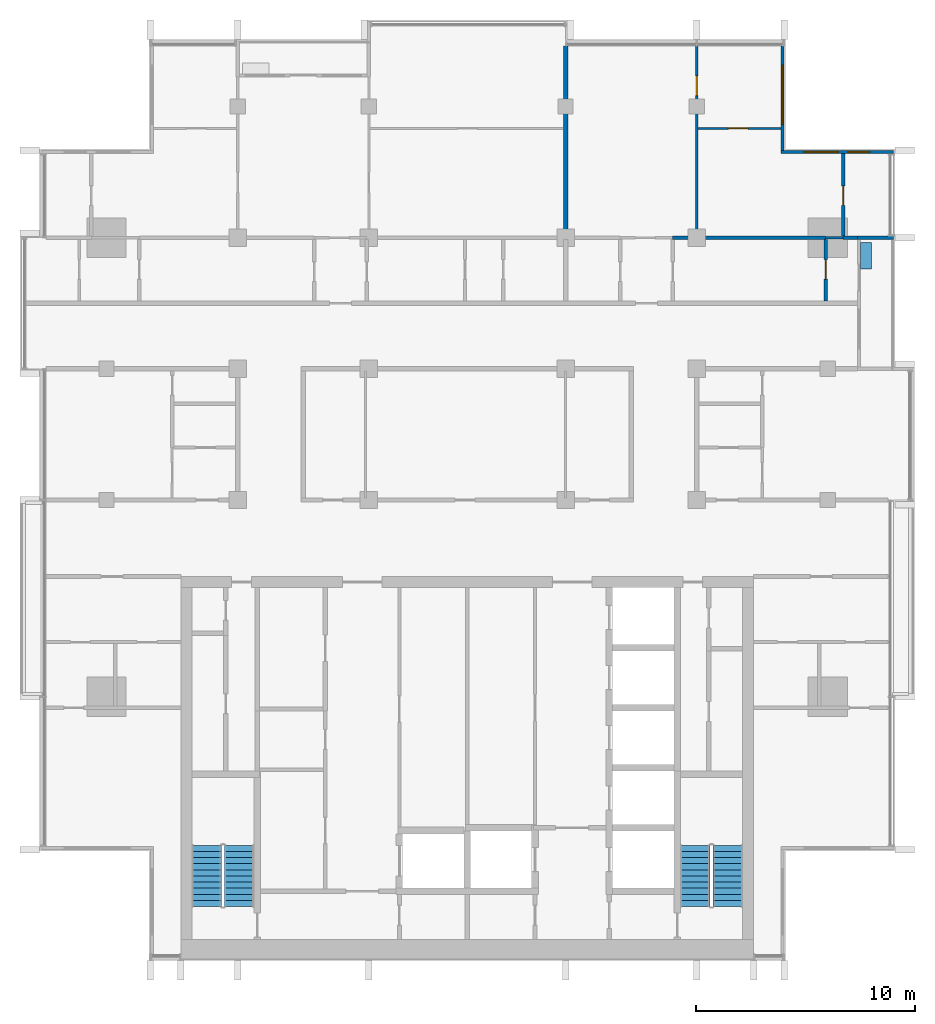
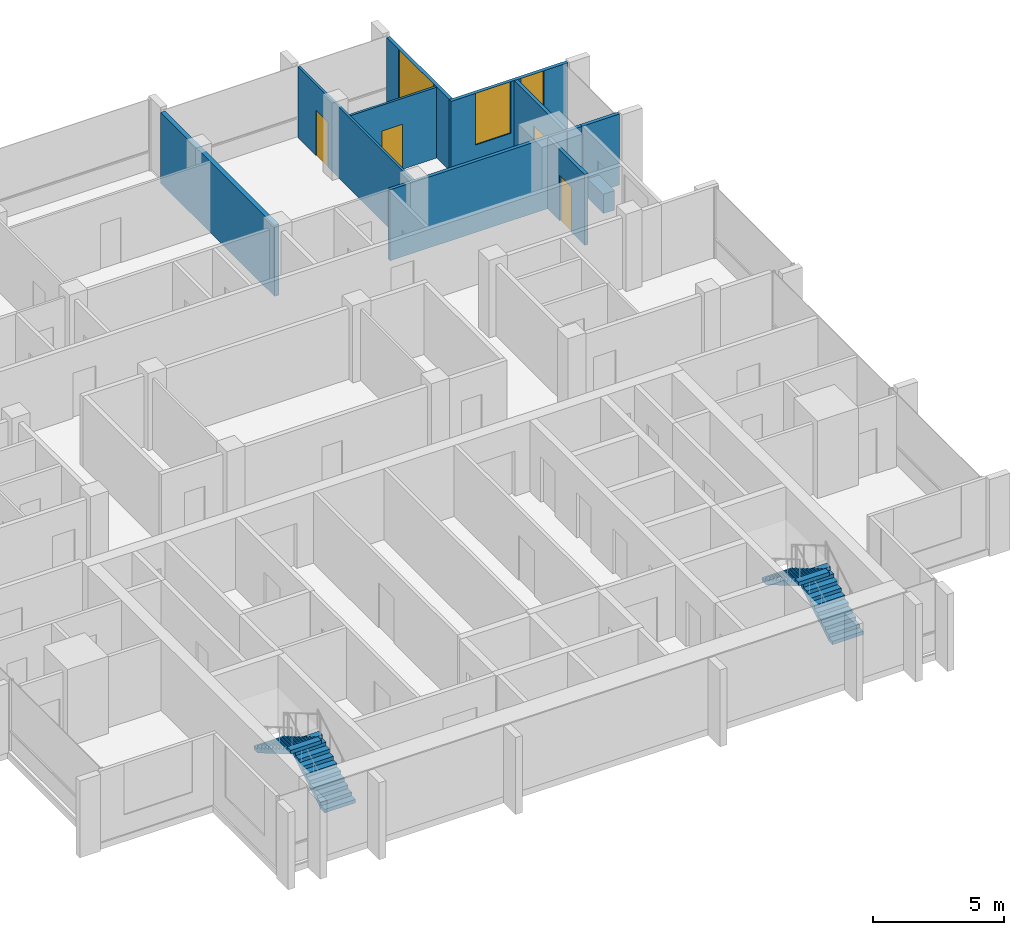
# One storey, part 11 of 16: 12 walls, 4 doors, 4 stair flights, 3 windows, 7 openings, 2 elements without a shape of their own.
"""IFC4 building model written with IfcOpenShell, lengths in metres."""

from ifc_helpers import new_model, si_unit, direction, frame, frame_2d, origin, place, context, subcontext, project, spatial, polyline, rectangle, outline, extrude, material, layer, layer_set, type_object, element, fill, aggregate, save


model = new_model("IFC4")

# Units and contexts
model_context = context("Model", 3, precision=1e-05, world=origin(), true_north=direction((0.0, 1.0)))
body_context = subcontext(model_context, "Body", "Model", "MODEL_VIEW")
ifc_project = project(units=[si_unit("LENGTHUNIT", "METRE"), si_unit("AREAUNIT", "SQUARE_METRE"), si_unit("VOLUMEUNIT", "CUBIC_METRE"), si_unit("PLANEANGLEUNIT", "RADIAN"), si_unit("MASSUNIT", "GRAM", prefix="KILO")], contexts=[model_context])

# Site, building, storey
site_placement = place(None, origin())
site = spatial("IfcSite", under=ifc_project, at=site_placement, CompositionType="ELEMENT")
building_placement = place(site_placement, origin())
building = spatial("IfcBuilding", under=site, at=building_placement, Name="Finial Court Residences", CompositionType="ELEMENT")
storey_placement = place(building_placement, frame((0.0, 0.0, 280.699951171875)))
storey = spatial("IfcBuildingStorey", under=building, at=storey_placement, Name="L71", CompositionType="ELEMENT", Elevation=280.699951171875)

# Walls
ifc_material_1 = material(Name="Gypsum board")
ifc_layer_1 = layer(ifc_material_1, 0.02490234375)
ifc_material_2 = material(Name="Acoustic mineral wool in double frame")
ifc_layer_2 = layer(ifc_material_2, 0.14990234375)
ifc_layer_3 = layer(ifc_material_1, 0.02490234375)
ifc_layer_set_1 = layer_set([ifc_layer_1, ifc_layer_2, ifc_layer_3], Name="Acoustic party wall 200, 1 hour")
wall_type_1 = type_object("IfcWallType", Name="Acoustic party wall 200, 1 hour", PredefinedType="PARTITIONING", material=ifc_layer_set_1)
wall_1_placement = place(storey_placement, frame((4.5, 7.574951171875, 0.0), z_axis=(0.0, 0.0, 1.0), x_axis=(0.0, 1.0, 0.0)))
element("IfcWall", 1, at=wall_1_placement, inside=storey, type_object=wall_type_1, Name="Partition L71-046", PredefinedType="PARTITIONING", context=body_context, shape_type="SweptSolid", body=[
    extrude(rectangle(XDim=8.6875, YDim=0.199951171875, at=frame_2d((4.34375, 0.0))), origin(), (0.0, 0.0, 1.0), 3.300048828125),
])
ifc_layer_4 = layer(ifc_material_1, 0.012451171875)
ifc_material_3 = material(Name="Mineral wool in light-gauge frame")
ifc_layer_5 = layer(ifc_material_3, 0.074951171875)
ifc_layer_6 = layer(ifc_material_1, 0.012451171875)
ifc_layer_set_2 = layer_set([ifc_layer_4, ifc_layer_5, ifc_layer_6], Name="Gypsum board partition 100")
wall_type_2 = type_object("IfcWallType", Name="Gypsum board partition 100", PredefinedType="PARTITIONING", material=ifc_layer_set_2)
wall_2_placement = place(storey_placement, frame((16.39990234375, 7.5, 0.0), z_axis=(0.0, 0.0, 1.0), x_axis=(1.0, 0.0, 0.0)))
element("IfcWall", 2, at=wall_2_placement, inside=storey, type_object=wall_type_2, Name="Partition L71-020", PredefinedType="PARTITIONING", context=body_context, shape_type="SweptSolid", body=[
    extrude(rectangle(XDim=0.800048828125, YDim=0.10009765625, at=frame_2d((0.39990234375, 0.0))), origin(), (0.0, 0.0, 1.0), 3.300048828125),
])

# Wall, opening, door
wall_3_placement = place(storey_placement, frame((10.550048828125, 12.5, 0.0), z_axis=(0.0, 0.0, 1.0), x_axis=(1.0, 0.0, 0.0)))
wall_3 = element("IfcWall", 3, at=wall_3_placement, inside=storey, type_object=wall_type_2, Name="Partition L71-028", PredefinedType="PARTITIONING", context=body_context, shape_type="SweptSolid", body=[
    extrude(rectangle(XDim=3.800048828125, YDim=0.10009765625, at=frame_2d((1.89990234375, 0.0))), origin(), (0.0, 0.0, 1.0), 3.300048828125),
])
opening_1_placement = place(wall_3_placement, frame((1.39990234375, 0.0, 0.0)))
opening_1 = element("IfcOpeningElement", 4, at=opening_1_placement, cuts=wall_3, Name="Opening L71-D022", PredefinedType="OPENING", context=body_context, shape_type="SweptSolid", body=[
    extrude(rectangle(XDim=0.89990234375, YDim=2.10009765625, at=frame_2d((0.449951171875, 1.050048828125))), frame((0.0, 0.06005859375, 0.0), z_axis=(0.0, -1.0, 0.0), x_axis=(1.0, 0.0, 0.0)), (0.0, 0.0, 1.0), 0.1201171875),
])
ifc_material_4 = material(Name="Timber door leaf in timber frame", Category="wood")
door_type = type_object("IfcDoorType", Name="Door set 900 x 2100", OperationType="SINGLE_SWING_LEFT", PredefinedType="DOOR", material=ifc_material_4)
door_1_placement = place(opening_1_placement, origin())
door_1 = element("IfcDoor", 5, at=door_1_placement, inside=storey, type_object=door_type, Name="Door L71-D022", OperationType="SINGLE_SWING_LEFT", OverallHeight=2.10009765625, OverallWidth=0.89990234375, PredefinedType="DOOR", context=body_context, shape_type="SweptSolid", body=[
    extrude(rectangle(XDim=0.89990234375, YDim=2.10009765625, at=frame_2d((0.449951171875, 1.050048828125))), frame((0.0, 0.02490234375, 0.0), z_axis=(0.0, -1.0, 0.0), x_axis=(1.0, 0.0, 0.0)), (0.0, 0.0, 1.0), 0.050048828125),
])
fill(opening_1, door_1)

wall_4_placement = place(storey_placement, frame((10.5, 7.574951171875, 0.0), z_axis=(0.0, 0.0, 1.0), x_axis=(0.0, 1.0, 0.0)))
wall_4 = element("IfcWall", 6, at=wall_4_placement, inside=storey, type_object=wall_type_2, Name="Partition L71-051", PredefinedType="PARTITIONING", context=body_context, shape_type="SweptSolid", body=[
    extrude(rectangle(XDim=8.6875, YDim=0.10009765625, at=frame_2d((4.34375, 0.0))), origin(), (0.0, 0.0, 1.0), 3.300048828125),
])
opening_2_placement = place(wall_4_placement, frame((6.425048828125, 0.0, 0.0)))
opening_2 = element("IfcOpeningElement", 7, at=opening_2_placement, cuts=wall_4, Name="Opening L71-D036", PredefinedType="OPENING", context=body_context, shape_type="SweptSolid", body=[
    extrude(rectangle(XDim=0.89990234375, YDim=2.10009765625, at=frame_2d((0.449951171875, 1.050048828125))), frame((0.0, 0.06005859375, 0.0), z_axis=(0.0, -1.0, 0.0), x_axis=(1.0, 0.0, 0.0)), (0.0, 0.0, 1.0), 0.1201171875),
])
door_2_placement = place(opening_2_placement, origin())
door_2 = element("IfcDoor", 8, at=door_2_placement, inside=storey, type_object=door_type, Name="Door L71-D036", OperationType="SINGLE_SWING_RIGHT", OverallHeight=2.10009765625, OverallWidth=0.89990234375, PredefinedType="DOOR", context=body_context, shape_type="SweptSolid", body=[
    extrude(rectangle(XDim=0.89990234375, YDim=2.10009765625, at=frame_2d((0.449951171875, 1.050048828125))), frame((0.0, 0.02490234375, 0.0), z_axis=(0.0, -1.0, 0.0), x_axis=(1.0, 0.0, 0.0)), (0.0, 0.0, 1.0), 0.050048828125),
])
fill(opening_2, door_2)

# Walls
ifc_material_5 = material(Name="Moisture-resistant gypsum board")
ifc_layer_7 = layer(ifc_material_5, 0.012451171875)
ifc_layer_8 = layer(ifc_material_3, 0.125)
ifc_layer_9 = layer(ifc_material_5, 0.012451171875)
ifc_layer_set_3 = layer_set([ifc_layer_7, ifc_layer_8, ifc_layer_9], Name="Gypsum board wet-area partition 150")
wall_type_3 = type_object("IfcWallType", Name="Gypsum board wet-area partition 150", PredefinedType="PARTITIONING", material=ifc_layer_set_3)
wall_5_placement = place(storey_placement, frame((9.39990234375, 7.5, 0.0), z_axis=(0.0, 0.0, 1.0), x_axis=(1.0, 0.0, 0.0)))
element("IfcWall", 9, at=wall_5_placement, inside=storey, type_object=wall_type_3, Name="Partition L71-024", PredefinedType="PARTITIONING", context=body_context, shape_type="SweptSolid", body=[
    extrude(rectangle(XDim=7.0, YDim=0.14990234375, at=frame_2d((3.5, 0.0))), origin(), (0.0, 0.0, 1.0), 3.300048828125),
])
wall_6_placement = place(storey_placement, frame((17.199951171875, 7.5, 0.0), z_axis=(0.0, 0.0, 1.0), x_axis=(1.0, 0.0, 0.0)))
element("IfcWall", 10, at=wall_6_placement, inside=storey, type_object=wall_type_3, Name="Partition L71-025", PredefinedType="PARTITIONING", context=body_context, shape_type="SweptSolid", body=[
    extrude(rectangle(XDim=0.650146484375, YDim=0.14990234375, at=frame_2d((0.3251953125, 0.0))), origin(), (0.0, 0.0, 1.0), 3.300048828125),
])

# Wall, opening, door
wall_7_placement = place(storey_placement, frame((16.39990234375, 4.60009765625, 0.0), z_axis=(0.0, 0.0, 1.0), x_axis=(0.0, 1.0, 0.0)))
wall_7 = element("IfcWall", 11, at=wall_7_placement, inside=storey, type_object=wall_type_3, Name="Partition L71-055", PredefinedType="PARTITIONING", context=body_context, shape_type="SweptSolid", body=[
    extrude(rectangle(XDim=2.824951171875, YDim=0.14990234375, at=frame_2d((1.41259765625, 0.0))), origin(), (0.0, 0.0, 1.0), 3.300048828125),
])
opening_3_placement = place(wall_7_placement, frame((1.0, 0.0, 0.0)))
opening_3 = element("IfcOpeningElement", 12, at=opening_3_placement, cuts=wall_7, Name="Opening L71-D039", PredefinedType="OPENING", context=body_context, shape_type="SweptSolid", body=[
    extrude(rectangle(XDim=0.89990234375, YDim=2.10009765625, at=frame_2d((0.449951171875, 1.050048828125))), frame((0.0, 0.0849609375, 0.0), z_axis=(0.0, -1.0, 0.0), x_axis=(1.0, 0.0, 0.0)), (0.0, 0.0, 1.0), 0.169921875),
])
door_3_placement = place(opening_3_placement, origin())
door_3 = element("IfcDoor", 13, at=door_3_placement, inside=storey, type_object=door_type, Name="Door L71-D039", OperationType="SINGLE_SWING_RIGHT", OverallHeight=2.10009765625, OverallWidth=0.89990234375, PredefinedType="DOOR", context=body_context, shape_type="SweptSolid", body=[
    extrude(rectangle(XDim=0.89990234375, YDim=2.10009765625, at=frame_2d((0.449951171875, 1.050048828125))), frame((0.0, 0.02490234375, 0.0), z_axis=(0.0, -1.0, 0.0), x_axis=(1.0, 0.0, 0.0)), (0.0, 0.0, 1.0), 0.050048828125),
])
fill(opening_3, door_3)

wall_8_placement = place(storey_placement, frame((17.199951171875, 7.574951171875, 0.0), z_axis=(0.0, 0.0, 1.0), x_axis=(0.0, 1.0, 0.0)))
wall_8 = element("IfcWall", 14, at=wall_8_placement, inside=storey, type_object=wall_type_3, Name="Partition L71-056", PredefinedType="PARTITIONING", context=body_context, shape_type="SweptSolid", body=[
    extrude(rectangle(XDim=3.775146484375, YDim=0.14990234375, at=frame_2d((1.8876953125, 0.0))), origin(), (0.0, 0.0, 1.0), 3.300048828125),
])
opening_4_placement = place(wall_8_placement, frame((1.39990234375, 0.0, 0.0)))
opening_4 = element("IfcOpeningElement", 15, at=opening_4_placement, cuts=wall_8, Name="Opening L71-D040", PredefinedType="OPENING", context=body_context, shape_type="SweptSolid", body=[
    extrude(rectangle(XDim=0.89990234375, YDim=2.10009765625, at=frame_2d((0.449951171875, 1.050048828125))), frame((0.0, 0.0849609375, 0.0), z_axis=(0.0, -1.0, 0.0), x_axis=(1.0, 0.0, 0.0)), (0.0, 0.0, 1.0), 0.169921875),
])
door_4_placement = place(opening_4_placement, origin())
door_4 = element("IfcDoor", 16, at=door_4_placement, inside=storey, type_object=door_type, Name="Door L71-D040", OperationType="SINGLE_SWING_LEFT", OverallHeight=2.10009765625, OverallWidth=0.89990234375, PredefinedType="DOOR", context=body_context, shape_type="SweptSolid", body=[
    extrude(rectangle(XDim=0.89990234375, YDim=2.10009765625, at=frame_2d((0.449951171875, 1.050048828125))), frame((0.0, 0.02490234375, 0.0), z_axis=(0.0, -1.0, 0.0), x_axis=(1.0, 0.0, 0.0)), (0.0, 0.0, 1.0), 0.050048828125),
])
fill(opening_4, door_4)

# Wall, opening, window
ifc_material_6 = material(Name="Natural limestone", Category="masonry")
ifc_layer_10 = layer(ifc_material_6, 0.14990234375)
ifc_layer_set_4 = layer_set([ifc_layer_10], Name="Limestone clad wall 150")
wall_type_4 = type_object("IfcWallType", Name="Limestone clad wall 150", PredefinedType="SOLIDWALL", material=ifc_layer_set_4)
wall_9_placement = place(storey_placement, frame((14.425048828125, 16.262451171875, 0.0), z_axis=(0.0, 0.0, 1.0), x_axis=(0.0, -1.0, 0.0)))
wall_9 = element("IfcWall", 17, at=wall_9_placement, inside=storey, type_object=wall_type_4, Name="E-L71-NWE18", PredefinedType="SOLIDWALL", context=body_context, shape_type="SweptSolid", body=[
    extrude(rectangle(XDim=4.762451171875, YDim=0.14990234375, at=frame_2d((2.38134765625, 0.0))), origin(), (0.0, 0.0, 1.0), 3.300048828125),
])
opening_5_placement = place(wall_9_placement, frame((0.88134765625, 0.0, 0.89990234375)))
opening_5 = element("IfcOpeningElement", 18, at=opening_5_placement, cuts=wall_9, Name="Opening WE71-08", PredefinedType="OPENING", context=body_context, shape_type="SweptSolid", body=[
    extrude(rectangle(XDim=2.680908203125, YDim=2.39990234375, at=frame_2d((1.34033203125, 1.199951171875))), frame((0.0, 0.0849609375, 0.0), z_axis=(0.0, -1.0, 0.0), x_axis=(1.0, 0.0, 0.0)), (0.0, 0.0, 1.0), 0.169921875),
])
ifc_material_7 = material(Name="Clear low-e glass", Category="glass")
window_type_1 = type_object("IfcWindowType", Name="Corner window 2681 x 2400", PartitioningType="SINGLE_PANEL", PredefinedType="WINDOW", material=ifc_material_7)
window_1_placement = place(opening_5_placement, origin())
window_1 = element("IfcWindow", 19, at=window_1_placement, inside=storey, type_object=window_type_1, Name="E-L71-NWE18-W1", OverallHeight=2.39990234375, OverallWidth=2.680908203125, PartitioningType="SINGLE_PANEL", PredefinedType="WINDOW", context=body_context, shape_type="SweptSolid", body=[
    extrude(rectangle(XDim=2.680908203125, YDim=2.39990234375, at=frame_2d((1.34033203125, 1.199951171875))), frame((0.0, 0.030029296875, 0.0), z_axis=(0.0, -1.0, 0.0), x_axis=(1.0, 0.0, 0.0)), (0.0, 0.0, 1.0), 0.06005859375),
])
fill(opening_5, window_1)

# Wall, openings, windows
wall_10_placement = place(storey_placement, frame((14.35009765625, 11.425048828125, 0.0), z_axis=(0.0, 0.0, 1.0), x_axis=(1.0, 0.0, 0.0)))
wall_10 = element("IfcWall", 20, at=wall_10_placement, inside=storey, type_object=wall_type_4, Name="E-L71-NWN19", PredefinedType="SOLIDWALL", context=body_context, shape_type="SweptSolid", body=[
    extrude(rectangle(XDim=5.14990234375, YDim=0.14990234375, at=frame_2d((2.574951171875, 0.0))), origin(), (0.0, 0.0, 1.0), 3.300048828125),
])
opening_6_placement = place(wall_10_placement, frame((1.074951171875, 0.0, 0.89990234375)))
opening_6 = element("IfcOpeningElement", 21, at=opening_6_placement, cuts=wall_10, Name="Opening WE71-09", PredefinedType="OPENING", context=body_context, shape_type="SweptSolid", body=[
    extrude(rectangle(XDim=1.550048828125, YDim=2.39990234375, at=frame_2d((0.77490234375, 1.199951171875))), frame((0.0, 0.0849609375, 0.0), z_axis=(0.0, -1.0, 0.0), x_axis=(1.0, 0.0, 0.0)), (0.0, 0.0, 1.0), 0.169921875),
])
opening_7_placement = place(wall_10_placement, frame((3.074951171875, 0.0, 0.89990234375)))
opening_7 = element("IfcOpeningElement", 22, at=opening_7_placement, cuts=wall_10, Name="Opening WE71-10", PredefinedType="OPENING", context=body_context, shape_type="SweptSolid", body=[
    extrude(rectangle(XDim=1.0, YDim=2.39990234375, at=frame_2d((0.5, 1.199951171875))), frame((0.0, 0.0849609375, 0.0), z_axis=(0.0, -1.0, 0.0), x_axis=(1.0, 0.0, 0.0)), (0.0, 0.0, 1.0), 0.169921875),
])
window_type_2 = type_object("IfcWindowType", Name="Corner window 1000 x 2400", PartitioningType="SINGLE_PANEL", PredefinedType="WINDOW", material=ifc_material_7)
window_2_placement = place(opening_7_placement, origin())
window_2 = element("IfcWindow", 23, at=window_2_placement, inside=storey, type_object=window_type_2, Name="E-L71-NWN19-W2", OverallHeight=2.39990234375, OverallWidth=1.0, PartitioningType="SINGLE_PANEL", PredefinedType="WINDOW", context=body_context, shape_type="SweptSolid", body=[
    extrude(rectangle(XDim=1.0, YDim=2.39990234375, at=frame_2d((0.5, 1.199951171875))), frame((0.0, 0.030029296875, 0.0), z_axis=(0.0, -1.0, 0.0), x_axis=(1.0, 0.0, 0.0)), (0.0, 0.0, 1.0), 0.06005859375),
])
fill(opening_7, window_2)
window_type_3 = type_object("IfcWindowType", Name="Corner window 1550 x 2400", PartitioningType="SINGLE_PANEL", PredefinedType="WINDOW", material=ifc_material_7)
window_3_placement = place(opening_6_placement, origin())
window_3 = element("IfcWindow", 24, at=window_3_placement, inside=storey, type_object=window_type_3, Name="E-L71-NWN19-W1", OverallHeight=2.39990234375, OverallWidth=1.550048828125, PartitioningType="SINGLE_PANEL", PredefinedType="WINDOW", context=body_context, shape_type="SweptSolid", body=[
    extrude(rectangle(XDim=1.550048828125, YDim=2.39990234375, at=frame_2d((0.77490234375, 1.199951171875))), frame((0.0, 0.030029296875, 0.0), z_axis=(0.0, -1.0, 0.0), x_axis=(1.0, 0.0, 0.0)), (0.0, 0.0, 1.0), 0.06005859375),
])
fill(opening_6, window_3)

# Walls
wall_11_placement = place(storey_placement, frame((17.85009765625, 7.5, 0.0), z_axis=(0.0, 0.0, 1.0), x_axis=(1.0, 0.0, 0.0)))
element("IfcWall", 25, at=wall_11_placement, inside=storey, type_object=wall_type_4, Name="E-L71-BALE4-P2", PredefinedType="SOLIDWALL", context=body_context, shape_type="SweptSolid", body=[
    extrude(rectangle(XDim=1.64990234375, YDim=0.14990234375, at=frame_2d((0.824951171875, 0.0))), origin(), (0.0, 0.0, 1.0), 3.300048828125),
])
ifc_material_8 = material(Name="Concrete C40/50", Category="concrete")
ifc_layer_11 = layer(ifc_material_8, 0.10009765625)
ifc_material_9 = material(Name="Planting soil", Category="soil")
ifc_layer_12 = layer(ifc_material_9, 0.300048828125)
ifc_layer_13 = layer(ifc_material_8, 0.10009765625)
ifc_layer_set_5 = layer_set([ifc_layer_11, ifc_layer_12, ifc_layer_13], Name="Planter wall, balcony")
wall_type_5 = type_object("IfcWallType", Name="Planter wall, balcony", PredefinedType="USERDEFINED", material=ifc_layer_set_5)
wall_12_placement = place(storey_placement, frame((18.25, 6.074951171875, 0.0), z_axis=(0.0, 0.0, 1.0), x_axis=(0.0, 1.0, 0.0)))
element("IfcWall", 26, at=wall_12_placement, inside=storey, type_object=wall_type_5, Name="E-L71-BALE4-PL", ObjectType="PLANTER", PredefinedType="USERDEFINED", context=body_context, shape_type="SweptSolid", body=[
    extrude(rectangle(XDim=1.199951171875, YDim=0.5, at=frame_2d((0.60009765625, 0.0))), origin(), (0.0, 0.0, 1.0), 0.900146484375),
])

# Stair, stair flights
ifc_material_10 = material(Name="Concrete C50/60", Category="concrete")
stair_type = type_object("IfcStairType", Name="Exit stair 22 risers of 163.6 mm", PredefinedType="HALF_TURN_STAIR", material=ifc_material_10)
stair_1_placement = place(storey_placement, origin())
stair_1 = element("IfcStair", 27, at=stair_1_placement, inside=storey, type_object=stair_type, Name="L71 Exit stair ST-1", PredefinedType="HALF_TURN_STAIR")
stair_flight_type = type_object("IfcStairFlightType", Name="Exit stair flight", PredefinedType="STRAIGHT", material=ifc_material_10)
stair_flight_1_placement = place(storey_placement, frame((-10.425048828125, -23.10009765625, 0.0), z_axis=(0.0, 0.0, 1.0), x_axis=(0.0, 1.0, 0.0)))
stair_flight_1 = element("IfcStairFlight", 28, at=stair_flight_1_placement, type_object=stair_flight_type, Name="ST-1 flight 1", NumberOfRisers=11, NumberOfTreads=10, PredefinedType="STRAIGHT", RiserHeight=0.163636364, TreadLength=0.28, context=body_context, shape_type="SweptSolid", body=[
    extrude(outline(polyline([(0.0, 0.0), (0.0, 0.16357421875), (0.280029296875, 0.16357421875), (0.280029296875, 0.327392578125), (0.56005859375, 0.327392578125), (0.56005859375, 0.490966796875), (0.840087890625, 0.490966796875), (0.840087890625, 0.654541015625), (1.1201171875, 0.654541015625), (1.1201171875, 0.818115234375), (1.39990234375, 0.818115234375), (1.39990234375, 0.98193359375), (1.679931640625, 0.98193359375), (1.679931640625, 1.1455078125), (1.9599609375, 1.1455078125), (1.9599609375, 1.30908203125), (2.239990234375, 1.30908203125), (2.239990234375, 1.47265625), (2.52001953125, 1.47265625), (2.52001953125, 1.636474609375), (2.800048828125, 1.636474609375), (2.800048828125, 1.800048828125), (2.800048828125, 1.462646484375), (0.297119140625, 0.0), (0.0, 0.0)])), frame((0.0, 0.675048828125, 0.0), z_axis=(0.0, -1.0, 0.0), x_axis=(1.0, 0.0, 0.0)), (0.0, 0.0, 1.0), 1.35009765625),
])
stair_flight_2_placement = place(storey_placement, frame((-11.925048828125, -20.300048828125, 1.800048828125), z_axis=(0.0, 0.0, 1.0), x_axis=(0.0, -1.0, 0.0)))
stair_flight_2 = element("IfcStairFlight", 29, at=stair_flight_2_placement, type_object=stair_flight_type, Name="ST-1 flight 2", NumberOfRisers=11, NumberOfTreads=10, PredefinedType="STRAIGHT", RiserHeight=0.163636364, TreadLength=0.28, context=body_context, shape_type="SweptSolid", body=[
    extrude(outline(polyline([(0.0, 0.0), (0.0, 0.16357421875), (0.280029296875, 0.16357421875), (0.280029296875, 0.327392578125), (0.56005859375, 0.327392578125), (0.56005859375, 0.490966796875), (0.840087890625, 0.490966796875), (0.840087890625, 0.654541015625), (1.1201171875, 0.654541015625), (1.1201171875, 0.818115234375), (1.39990234375, 0.818115234375), (1.39990234375, 0.98193359375), (1.679931640625, 0.98193359375), (1.679931640625, 1.1455078125), (1.9599609375, 1.1455078125), (1.9599609375, 1.30908203125), (2.239990234375, 1.30908203125), (2.239990234375, 1.47265625), (2.52001953125, 1.47265625), (2.52001953125, 1.636474609375), (2.800048828125, 1.636474609375), (2.800048828125, 1.800048828125), (2.800048828125, 1.462646484375), (0.297119140625, 0.0), (0.0, 0.0)])), frame((0.0, 0.675048828125, 0.0), z_axis=(0.0, -1.0, 0.0), x_axis=(1.0, 0.0, 0.0)), (0.0, 0.0, 1.0), 1.35009765625),
])
aggregate(stair_1, [stair_flight_1, stair_flight_2])

stair_2_placement = place(storey_placement, origin())
stair_2 = element("IfcStair", 30, at=stair_2_placement, inside=storey, type_object=stair_type, Name="L71 Exit stair ST-2", PredefinedType="HALF_TURN_STAIR")
stair_flight_3_placement = place(storey_placement, frame((11.925048828125, -23.10009765625, 0.0), z_axis=(0.0, 0.0, 1.0), x_axis=(0.0, 1.0, 0.0)))
stair_flight_3 = element("IfcStairFlight", 31, at=stair_flight_3_placement, type_object=stair_flight_type, Name="ST-2 flight 1", NumberOfRisers=11, NumberOfTreads=10, PredefinedType="STRAIGHT", RiserHeight=0.163636364, TreadLength=0.28, context=body_context, shape_type="SweptSolid", body=[
    extrude(outline(polyline([(0.0, 0.0), (0.0, 0.16357421875), (0.280029296875, 0.16357421875), (0.280029296875, 0.327392578125), (0.56005859375, 0.327392578125), (0.56005859375, 0.490966796875), (0.840087890625, 0.490966796875), (0.840087890625, 0.654541015625), (1.1201171875, 0.654541015625), (1.1201171875, 0.818115234375), (1.39990234375, 0.818115234375), (1.39990234375, 0.98193359375), (1.679931640625, 0.98193359375), (1.679931640625, 1.1455078125), (1.9599609375, 1.1455078125), (1.9599609375, 1.30908203125), (2.239990234375, 1.30908203125), (2.239990234375, 1.47265625), (2.52001953125, 1.47265625), (2.52001953125, 1.636474609375), (2.800048828125, 1.636474609375), (2.800048828125, 1.800048828125), (2.800048828125, 1.462646484375), (0.297119140625, 0.0), (0.0, 0.0)])), frame((0.0, 0.675048828125, 0.0), z_axis=(0.0, -1.0, 0.0), x_axis=(1.0, 0.0, 0.0)), (0.0, 0.0, 1.0), 1.35009765625),
])
stair_flight_4_placement = place(storey_placement, frame((10.425048828125, -20.300048828125, 1.800048828125), z_axis=(0.0, 0.0, 1.0), x_axis=(0.0, -1.0, 0.0)))
stair_flight_4 = element("IfcStairFlight", 32, at=stair_flight_4_placement, type_object=stair_flight_type, Name="ST-2 flight 2", NumberOfRisers=11, NumberOfTreads=10, PredefinedType="STRAIGHT", RiserHeight=0.163636364, TreadLength=0.28, context=body_context, shape_type="SweptSolid", body=[
    extrude(outline(polyline([(0.0, 0.0), (0.0, 0.16357421875), (0.280029296875, 0.16357421875), (0.280029296875, 0.327392578125), (0.56005859375, 0.327392578125), (0.56005859375, 0.490966796875), (0.840087890625, 0.490966796875), (0.840087890625, 0.654541015625), (1.1201171875, 0.654541015625), (1.1201171875, 0.818115234375), (1.39990234375, 0.818115234375), (1.39990234375, 0.98193359375), (1.679931640625, 0.98193359375), (1.679931640625, 1.1455078125), (1.9599609375, 1.1455078125), (1.9599609375, 1.30908203125), (2.239990234375, 1.30908203125), (2.239990234375, 1.47265625), (2.52001953125, 1.47265625), (2.52001953125, 1.636474609375), (2.800048828125, 1.636474609375), (2.800048828125, 1.800048828125), (2.800048828125, 1.462646484375), (0.297119140625, 0.0), (0.0, 0.0)])), frame((0.0, 0.675048828125, 0.0), z_axis=(0.0, -1.0, 0.0), x_axis=(1.0, 0.0, 0.0)), (0.0, 0.0, 1.0), 1.35009765625),
])
aggregate(stair_2, [stair_flight_3, stair_flight_4])

save(model, "model.ifc")
